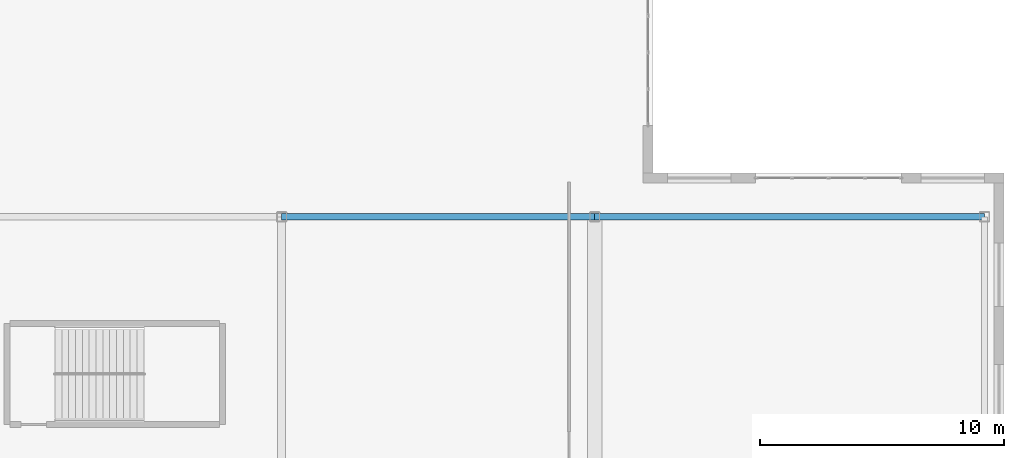
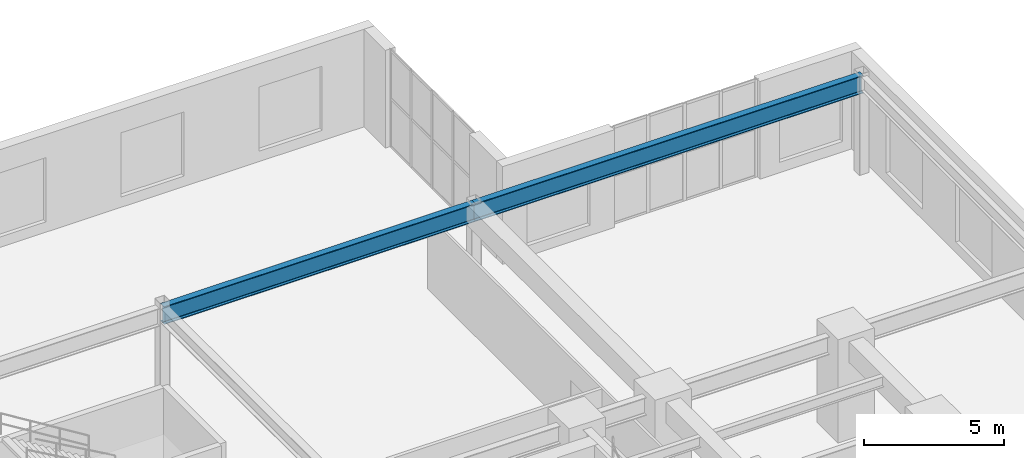
# One storey, part 6 of 15: 2 beams.
"""IFC4 building model written with IfcOpenShell, lengths in metres."""

from ifc_helpers import new_model, entity, si_unit, converted_unit, direction, frame, origin_with_axes, origin_2d_with_axis, place, context, subcontext, project, spatial, i_section, extrude, material, material_profile, profile_set, type_object, element, save


model = new_model("IFC4")

# Units and contexts
model_context = context("Model", 3, precision=1e-05, world=origin_with_axes(), true_north=direction((0.0, 1.0)))
body_context = subcontext(model_context, "Body", "Model", "MODEL_VIEW")
ifc_project = project(units=[si_unit("LENGTHUNIT", "METRE"), si_unit("AREAUNIT", "SQUARE_METRE"), si_unit("VOLUMEUNIT", "CUBIC_METRE"), converted_unit("PLANEANGLEUNIT", "DEGREE", entity("IfcPlaneAngleMeasure", 0.017453292519943295), si_unit("PLANEANGLEUNIT", "RADIAN"), dimensions=[0, 0, 0, 0, 0, 0, 0]), si_unit("MASSUNIT", "GRAM", prefix="KILO"), si_unit("THERMODYNAMICTEMPERATUREUNIT", "KELVIN")], contexts=[model_context])

# Site, building, storey
site_placement = place(None, origin_with_axes())
site = spatial("IfcSite", under=ifc_project, at=site_placement, CompositionType="ELEMENT")
building_placement = place(site_placement, origin_with_axes())
building = spatial("IfcBuilding", under=site, at=building_placement, Name="Varnlund Millrace Tower", CompositionType="ELEMENT")
storey_placement = place(building_placement, frame((0.0, 0.0, 15.3), z_axis=(0.0, 0.0, 1.0), x_axis=(1.0, 0.0, 0.0)))
storey = spatial("IfcBuildingStorey", under=building, at=storey_placement, Name="L03", CompositionType="ELEMENT", Elevation=15.3)

# Beams
ifc_material = material(Name="Steel ASTM A992 Grade 50", Category="steel")
ifc_material_profile = material_profile(ifc_material, i_section(OverallWidth=0.266, OverallDepth=0.779, WebThickness=0.0165, FlangeThickness=0.03, FilletRadius=0.02, at=origin_2d_with_axis()), Name="Steel ASTM A992 Grade 50")
ifc_profile_set = profile_set([ifc_material_profile], Name="Steel ASTM A992 Grade 50")
beam_type = type_object("IfcBeamType", Name="Type-Girder-W30X148", PredefinedType="USERDEFINED", material=ifc_profile_set)
beam_1_placement = place(storey_placement, frame((38.75, 37.8, 3.8705), z_axis=(1.0, 0.0, 0.0), x_axis=(0.0, 1.0, 0.0)))
element("IfcBeam", 1, at=beam_1_placement, inside=storey, type_object=beam_type, Name="Type-Girder-W30X148", ObjectType="GIRDER", PredefinedType="USERDEFINED", context=body_context, shape_type="SweptSolid", body=[
    extrude(i_section(OverallWidth=0.266, OverallDepth=0.779, WebThickness=0.0165, FlangeThickness=0.03, FilletRadius=0.02, at=origin_2d_with_axis()), origin_with_axes(), (0.0, 0.0, 1.0), 12.85),
])
beam_2_placement = place(storey_placement, frame((51.6, 37.8, 3.8705), z_axis=(1.0, 0.0, 0.0), x_axis=(0.0, 1.0, 0.0)))
element("IfcBeam", 2, at=beam_2_placement, inside=storey, type_object=beam_type, Name="Type-Girder-W30X148", ObjectType="GIRDER", PredefinedType="USERDEFINED", context=body_context, shape_type="SweptSolid", body=[
    extrude(i_section(OverallWidth=0.266, OverallDepth=0.779, WebThickness=0.0165, FlangeThickness=0.03, FilletRadius=0.02, at=origin_2d_with_axis()), origin_with_axes(), (0.0, 0.0, 1.0), 16.0),
])

save(model, "model.ifc")
